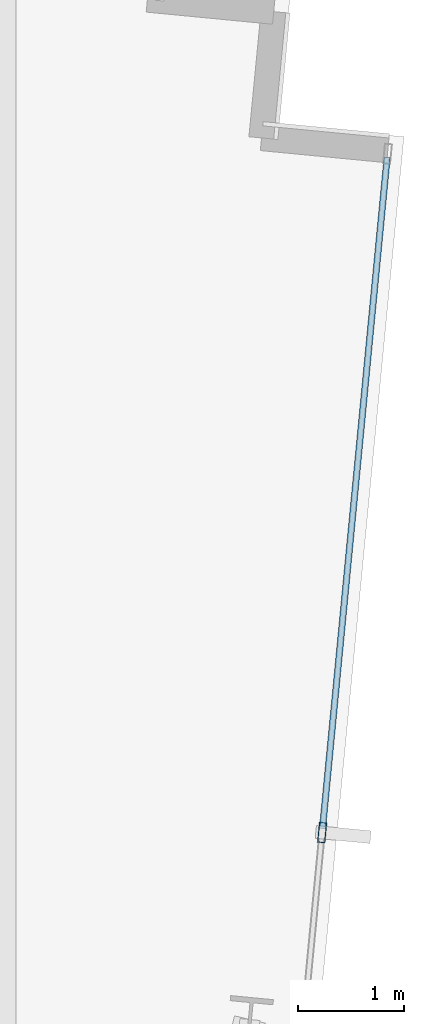
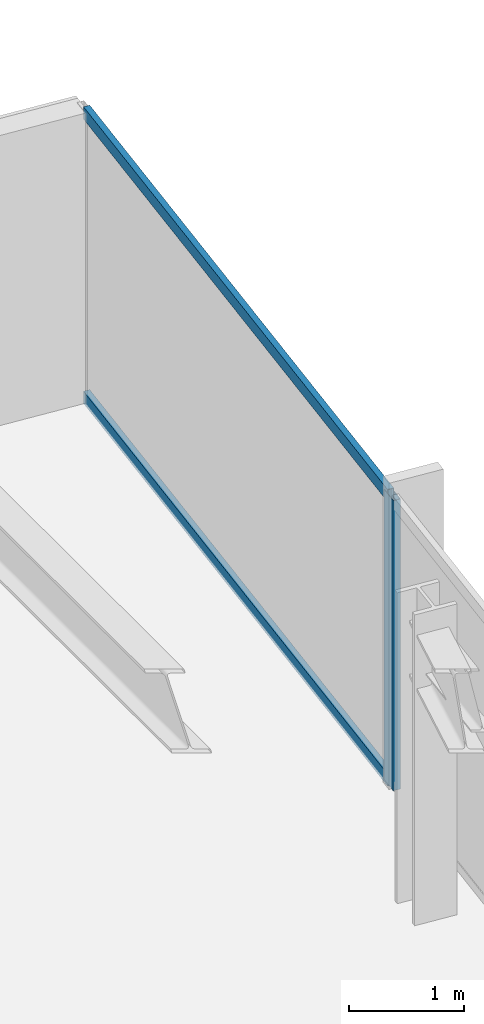
# One storey, part 20 of 37: 3 members, 1 element without a shape of its own.
"""IFC4 building model written with IfcOpenShell, lengths in metres."""

from ifc_helpers import new_model, si_unit, direction, frame, origin, origin_2d, place, context, subcontext, project, spatial, hollow_rectangle, extrude, material, material_profile, profile_set, type_object, element, aggregate, save


model = new_model("IFC4")

# Units and contexts
model_context = context("Model", 3, precision=1e-05, world=origin(), true_north=direction((0.0, 1.0)))
body_context = subcontext(model_context, "Body", "Model", "MODEL_VIEW")
ifc_project = project(units=[si_unit("LENGTHUNIT", "METRE"), si_unit("AREAUNIT", "SQUARE_METRE"), si_unit("VOLUMEUNIT", "CUBIC_METRE"), si_unit("PLANEANGLEUNIT", "RADIAN"), si_unit("MASSUNIT", "GRAM", prefix="KILO")], contexts=[model_context])

# Site, building, storey
site_placement = place(None, origin())
site = spatial("IfcSite", under=ifc_project, at=site_placement, CompositionType="ELEMENT")
building_placement = place(site_placement, origin())
building = spatial("IfcBuilding", under=site, at=building_placement, Name="Yelkora Congress Tower", CompositionType="ELEMENT")
storey_placement = place(building_placement, frame((0.0, 0.0, 182.0)))
storey = spatial("IfcBuildingStorey", under=building, at=storey_placement, Name="L50", CompositionType="ELEMENT", Elevation=182.0)

# Curtain wall, members
ifc_material_1 = material(Name="Anodised aluminium and insulated glass", Category="aluminium")
curtain_wall_type = type_object("IfcCurtainWallType", Name="CW-SYS-B3", PredefinedType="NOTDEFINED", material=ifc_material_1)
curtain_wall_placement = place(storey_placement, origin())
curtain_wall = element("IfcCurtainWall", 1, at=curtain_wall_placement, inside=storey, type_object=curtain_wall_type, Name="L50 Unitised Curtain Wall 15", PredefinedType="NOTDEFINED")
ifc_material_2 = material(Name="Anodised aluminium 6063-T6", Category="aluminium")
ifc_material_profile_1 = material_profile(ifc_material_2, hollow_rectangle(XDim=0.070068359375, YDim=0.18994140625, WallThickness=0.00390625, at=origin_2d()), Name="ALU 70x190x4")
ifc_profile_set_1 = profile_set([ifc_material_profile_1], Name="Anodised aluminium 6063-T6")
member_type_1 = type_object("IfcMemberType", Name="MEM-ML-B3", PredefinedType="MULLION", material=ifc_profile_set_1)
member_1_placement = place(storey_placement, frame((60.646240234375, 36.849853515625, 0.0), z_axis=(0.0, 0.0, 1.0), x_axis=(0.995396565076, -0.095841944023, 0.0)))
member_1 = element("IfcMember", 2, at=member_1_placement, type_object=member_type_1, Name="CW-B3 mullion 2", PredefinedType="MULLION", context=body_context, shape_type="SweptSolid", body=[
    extrude(hollow_rectangle(XDim=0.070068359375, YDim=0.18994140625, WallThickness=0.00390625, at=origin_2d()), origin(), (0.0, 0.0, 1.0), 3.080078125),
])
ifc_material_profile_2 = material_profile(ifc_material_2, hollow_rectangle(XDim=0.06005859375, YDim=0.1298828125, WallThickness=0.00390625, at=origin_2d()), Name="ALU 60x130x4")
ifc_profile_set_2 = profile_set([ifc_material_profile_2], Name="Anodised aluminium 6063-T6")
member_type_2 = type_object("IfcMemberType", Name="MEM-TR-B3", PredefinedType="USERDEFINED", material=ifc_profile_set_2)
member_2_placement = place(storey_placement, frame((61.260986328125, 43.234375, 0.030029296875), z_axis=(-0.095872844558, -0.995393589329, 0.0), x_axis=(0.995393589329, -0.095872844558, 0.0)))
member_2 = element("IfcMember", 3, at=member_2_placement, type_object=member_type_2, Name="CW-B3 transom 1.1", ObjectType="TRANSOM", PredefinedType="USERDEFINED", context=body_context, shape_type="SweptSolid", body=[
    extrude(hollow_rectangle(XDim=0.06005859375, YDim=0.1298828125, WallThickness=0.00390625, at=origin_2d()), origin(), (0.0, 0.0, 1.0), 6.37890625),
])
member_3_placement = place(storey_placement, frame((61.260986328125, 43.234375, 3.050048828125), z_axis=(-0.095872844558, -0.995393589329, 0.0), x_axis=(0.995393589329, -0.095872844558, 0.0)))
member_3 = element("IfcMember", 4, at=member_3_placement, type_object=member_type_2, Name="CW-B3 transom 1.2", ObjectType="TRANSOM", PredefinedType="USERDEFINED", context=body_context, shape_type="SweptSolid", body=[
    extrude(hollow_rectangle(XDim=0.06005859375, YDim=0.1298828125, WallThickness=0.00390625, at=origin_2d()), origin(), (0.0, 0.0, 1.0), 6.37890625),
])
aggregate(curtain_wall, [member_1, member_2, member_3])

save(model, "model.ifc")
